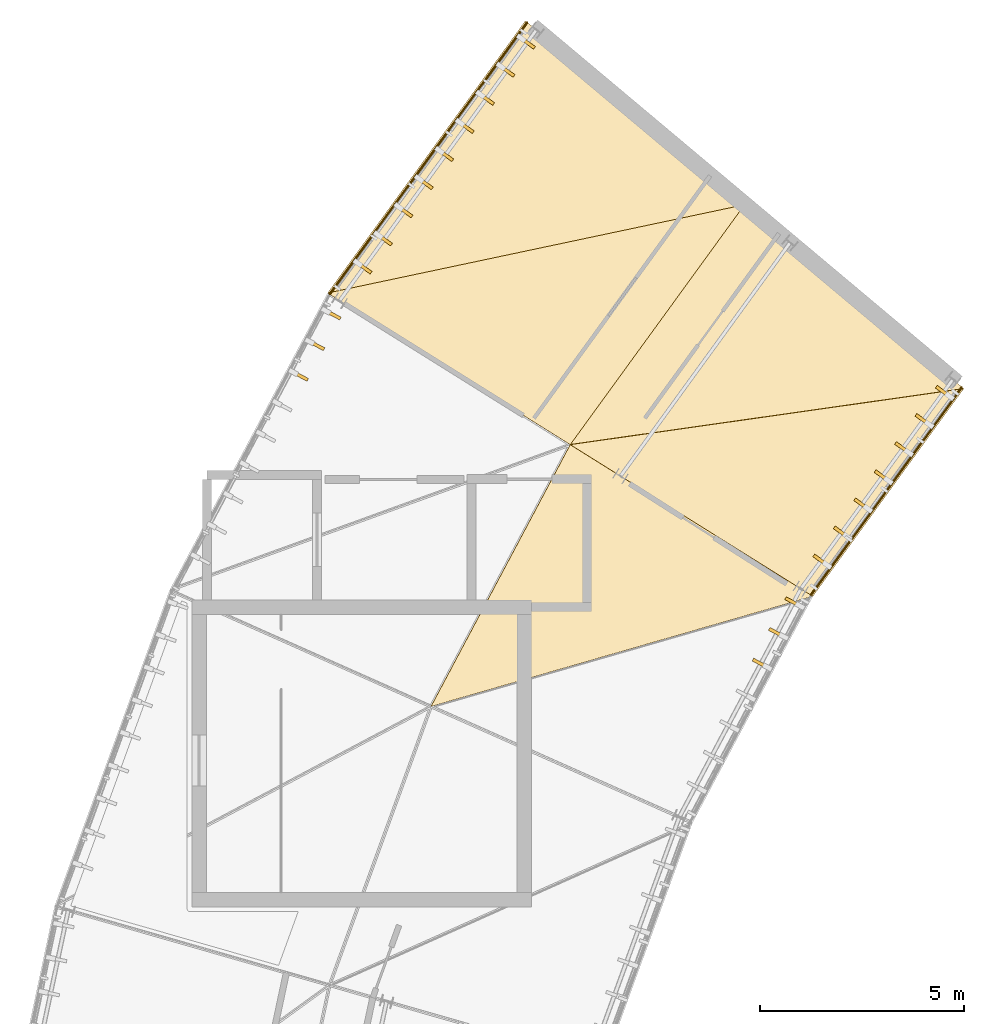
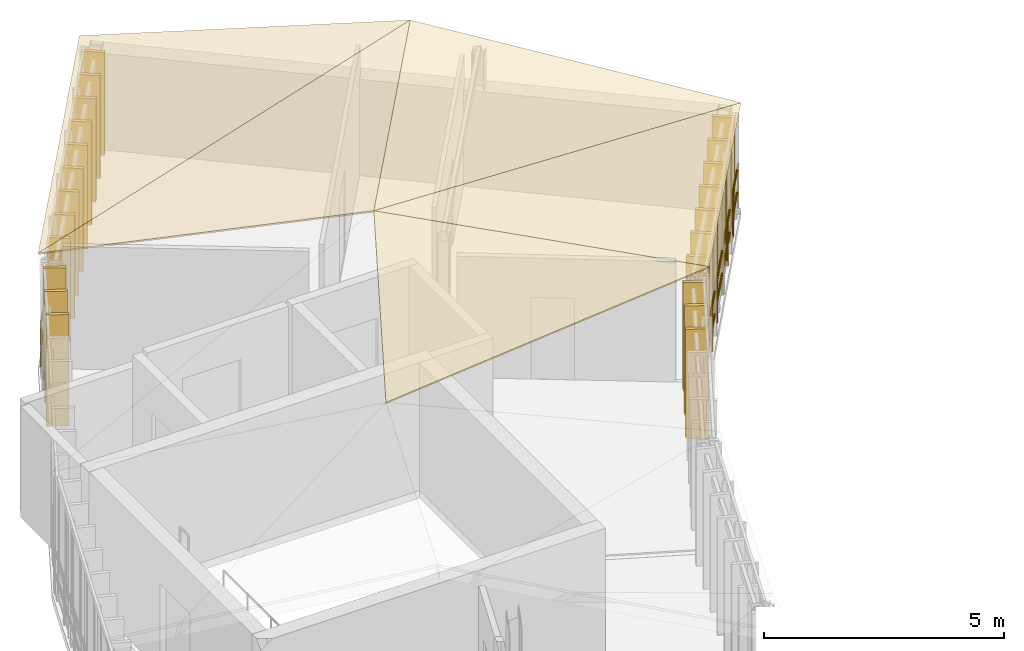
# One storey, part 18 of 18: 27 coverings, 2 railings.
"""IFC4 building model written with IfcOpenShell, lengths in metres."""

from ifc_helpers import new_model, si_unit, direction, frame, origin, origin_2d, place, context, subcontext, project, spatial, polyline, rectangle, circle, outline, extrude, material, layer, layer_set, type_object, element, save


model = new_model("IFC4")

# Units and contexts
model_context = context("Model", 3, precision=1e-05, world=origin(), true_north=direction((0.0, 1.0)))
body_context = subcontext(model_context, "Body", "Model", "MODEL_VIEW")
ifc_project = project(units=[si_unit("LENGTHUNIT", "METRE"), si_unit("AREAUNIT", "SQUARE_METRE"), si_unit("VOLUMEUNIT", "CUBIC_METRE"), si_unit("PLANEANGLEUNIT", "RADIAN"), si_unit("MASSUNIT", "GRAM", prefix="KILO"), si_unit("THERMODYNAMICTEMPERATUREUNIT", "KELVIN"), si_unit("POWERUNIT", "WATT")], contexts=[model_context])

# Site, building, storey
site_placement = place(None, origin())
site = spatial("IfcSite", under=ifc_project, at=site_placement, CompositionType="ELEMENT")
building_placement = place(site_placement, origin())
building = spatial("IfcBuilding", under=site, at=building_placement, Name="Solvatero Civic Police Headquarters", CompositionType="ELEMENT")
storey_placement = place(building_placement, frame((0.0, 0.0, 29.39990234375)))
storey = spatial("IfcBuildingStorey", under=building, at=storey_placement, Name="L07", CompositionType="ELEMENT", Elevation=29.39990234375)

# Coverings
ifc_material_1 = material(Name="Anodized Bronze Aluminium", Category="aluminium")
ifc_layer_1 = layer(ifc_material_1, 0.080078125)
ifc_layer_set_1 = layer_set([ifc_layer_1], Name="Anodized Bronze Aluminium")
covering_type_1 = type_object("IfcCoveringType", Name="COV-FIN-480", PredefinedType="CLADDING", material=ifc_layer_set_1)
for number, where, z_axis, x_axis, name in (
    (1, (48.83251953125, 63.403564453125, -0.02001953125), (0.0, 0.0, 1.0), (-0.587785252292, -0.809016994375, 0.0), "Vertical Brise-Soleil Fin 1374"),
    (2, (48.332763671875, 62.7158203125, -0.02001953125), (0.0, 0.0, 1.0), (-0.587785252292, -0.809016994375, 0.0), "Vertical Brise-Soleil Fin 1375"),
    (3, (47.833251953125, 62.028076171875, -0.02001953125), (0.0, 0.0, 1.0), (-0.587785252292, -0.809016994375, 0.0), "Vertical Brise-Soleil Fin 1376"),
    (4, (47.33349609375, 61.340576171875, -0.02001953125), (0.0, 0.0, 1.0), (-0.587785252292, -0.809016994375, 0.0), "Vertical Brise-Soleil Fin 1377"),
    (5, (46.833984375, 60.65283203125, -0.02001953125), (0.0, 0.0, 1.0), (-0.587785252292, -0.809016994375, 0.0), "Vertical Brise-Soleil Fin 1378"),
    (6, (46.334228515625, 59.965087890625, -0.02001953125), (0.0, 0.0, 1.0), (-0.587785252292, -0.809016994375, 0.0), "Vertical Brise-Soleil Fin 1379"),
    (7, (45.834716796875, 59.277587890625, -0.02001953125), (0.0, 0.0, 1.0), (-0.587785252292, -0.809016994375, 0.0), "Vertical Brise-Soleil Fin 1380"),
    (8, (45.335205078125, 58.58984375, -0.02001953125), (0.0, 0.0, 1.0), (-0.587785252292, -0.809016994375, 0.0), "Vertical Brise-Soleil Fin 1381"),
    (9, (44.83544921875, 57.902099609375, -0.02001953125), (0.0, 0.0, 1.0), (-0.587785252292, -0.809016994375, 0.0), "Vertical Brise-Soleil Fin 1382"),
):
    element("IfcCovering", number, at=place(storey_placement, frame(where, z_axis=z_axis, x_axis=x_axis)), inside=storey, type_object=covering_type_1, Name=name, PredefinedType="CLADDING", context=body_context, shape_type="SweptSolid", body=[
        extrude(rectangle(XDim=0.080078125, YDim=0.47998046875, at=origin_2d()), origin(), (0.0, 0.0, 1.0), 2.63330078125),
    ])
for number, where, z_axis, x_axis, name in (
    (10, (59.05224609375, 54.83154296875, -0.02001953125), (0.0, 0.0, 1.0), (-0.587785252292, -0.809016994375, 0.0), "Vertical Brise-Soleil Fin 1383"),
    (11, (58.552490234375, 54.143798828125, -0.02001953125), (0.0, 0.0, 1.0), (-0.587785252292, -0.809016994375, 0.0), "Vertical Brise-Soleil Fin 1384"),
    (12, (58.052978515625, 53.456298828125, -0.02001953125), (0.0, 0.0, 1.0), (-0.587785252292, -0.809016994375, 0.0), "Vertical Brise-Soleil Fin 1385"),
    (13, (57.553466796875, 52.7685546875, -0.02001953125), (0.0, 0.0, 1.0), (-0.587785252292, -0.809016994375, 0.0), "Vertical Brise-Soleil Fin 1386"),
    (14, (57.0537109375, 52.080810546875, -0.02001953125), (0.0, 0.0, 1.0), (-0.587785252292, -0.809016994375, 0.0), "Vertical Brise-Soleil Fin 1387"),
    (15, (56.55419921875, 51.393310546875, -0.02001953125), (0.0, 0.0, 1.0), (-0.587785252292, -0.809016994375, 0.0), "Vertical Brise-Soleil Fin 1388"),
    (16, (56.054443359375, 50.70556640625, -0.02001953125), (0.0, 0.0, 1.0), (-0.587785252292, -0.809016994375, 0.0), "Vertical Brise-Soleil Fin 1389"),
):
    element("IfcCovering", number, at=place(storey_placement, frame(where, z_axis=z_axis, x_axis=x_axis)), inside=storey, type_object=covering_type_1, Name=name, PredefinedType="CLADDING", context=body_context, shape_type="SweptSolid", body=[
        extrude(rectangle(XDim=0.080078125, YDim=0.47998046875, at=origin_2d()), origin(), (0.0, 0.0, 1.0), 2.591796875),
    ])
for number, where, z_axis, x_axis, name in (
    (17, (44.06640625, 56.75341796875, -0.02001953125), (0.0, 0.0, 1.0), (-0.469471562786, -0.882947592859, 0.0), "Vertical Brise-Soleil Fin 1390"),
    (18, (43.66748046875, 56.0029296875, -0.02001953125), (0.0, 0.0, 1.0), (-0.469471562786, -0.882947592859, 0.0), "Vertical Brise-Soleil Fin 1391"),
    (19, (43.268310546875, 55.25244140625, -0.02001953125), (0.0, 0.0, 1.0), (-0.469471562786, -0.882947592859, 0.0), "Vertical Brise-Soleil Fin 1392"),
):
    element("IfcCovering", number, at=place(storey_placement, frame(where, z_axis=z_axis, x_axis=x_axis)), inside=storey, type_object=covering_type_1, Name=name, PredefinedType="CLADDING", context=body_context, shape_type="SweptSolid", body=[
        extrude(rectangle(XDim=0.080078125, YDim=0.47998046875, at=origin_2d()), origin(), (0.0, 0.0, 1.0), 2.833251953125),
    ])
for number, where, z_axis, x_axis, name in (
    (20, (55.3798828125, 49.68701171875, -0.02001953125), (0.0, 0.0, 1.0), (-0.469486973057, -0.8829393989, 0.0), "Vertical Brise-Soleil Fin 1399"),
    (21, (54.980712890625, 48.9365234375, -0.02001953125), (0.0, 0.0, 1.0), (-0.469486973057, -0.8829393989, 0.0), "Vertical Brise-Soleil Fin 1400"),
    (22, (54.581787109375, 48.18603515625, -0.02001953125), (0.0, 0.0, 1.0), (-0.469486973057, -0.8829393989, 0.0), "Vertical Brise-Soleil Fin 1401"),
):
    element("IfcCovering", number, at=place(storey_placement, frame(where, z_axis=z_axis, x_axis=x_axis)), inside=storey, type_object=covering_type_1, Name=name, PredefinedType="CLADDING", context=body_context, shape_type="SweptSolid", body=[
        extrude(rectangle(XDim=0.080078125, YDim=0.47998046875, at=origin_2d()), origin(), (0.0, 0.0, 1.0), 2.791748046875),
    ])
ifc_layer_2 = layer(ifc_material_1, 0.0400390625)
ifc_layer_set_2 = layer_set([ifc_layer_2], Name="Anodized Bronze Aluminium")
covering_type_2 = type_object("IfcCoveringType", Name="COV-RF-ZINC", PredefinedType="ROOFING", material=ifc_layer_set_2)
covering_1_placement = place(storey_placement, frame((59.528076171875, 54.92529296875, 2.690185546875), z_axis=(0.159921458359, -0.082677603662, 0.983661293845), x_axis=(-0.754098605025, 0.632798733801, 0.175786963109)))
element("IfcCovering", 23, at=covering_1_placement, inside=storey, type_object=covering_type_2, Name="Operations Arc Standing-Seam Roof Covering B8 IN1", PredefinedType="ROOFING", context=body_context, shape_type="SweptSolid", body=[
    extrude(outline(polyline([(0.0, 0.0), (7.110879998675559, -3.95516952522712e-16), (6.647641277378156, 7.2426006290834755), (0.0, 0.0)])), origin(), (0.0, 0.0, -1.0), 0.0400390625),
])
covering_2_placement = place(storey_placement, frame((59.528076171875, 54.92529296875, 2.690185546875), z_axis=(0.159189939837, -0.076914744407, 0.984247268296), x_axis=(-0.979205833057, -0.13929407856, 0.147489308712)))
element("IfcCovering", 24, at=covering_2_placement, inside=storey, type_object=covering_type_2, Name="Operations Arc Standing-Seam Roof Covering B8 IN2", PredefinedType="ROOFING", context=body_context, shape_type="SweptSolid", body=[
    extrude(outline(polyline([(0.0, 0.0), (9.830890011850515, -8.326672684688674e-17), (4.350396637397747, 4.5305950658332375), (0.0, 0.0)])), origin(), (0.0, 0.0, -1.0), 0.0400390625),
])
covering_3_placement = place(storey_placement, frame((54.165771484375, 59.425048828125, 3.940185546875), z_axis=(-0.12714777063, 0.121934439364, 0.984360420233), x_axis=(-0.754114988756, 0.632778148005, -0.1757907823)))
element("IfcCovering", 25, at=covering_3_placement, inside=storey, type_object=covering_type_2, Name="Operations Arc Standing-Seam Roof Covering B8 OUT1", PredefinedType="ROOFING", context=body_context, shape_type="SweptSolid", body=[
    extrude(outline(polyline([(0.0, 0.0), (7.110725509310077, -7.147060721024445e-16), (6.510332114129802, 8.21202437923817), (0.0, 0.0)])), origin(), (0.0, 0.0, -1.0), 0.0400390625),
])
covering_4_placement = place(storey_placement, frame((54.165771484375, 59.425048828125, 3.940185546875), z_axis=(-0.128052340145, 0.126546604086, 0.983660792742), x_axis=(-0.973385920168, -0.206106582637, -0.100199436184)))
element("IfcCovering", 26, at=covering_4_placement, inside=storey, type_object=covering_type_2, Name="Operations Arc Standing-Seam Roof Covering B8 OUT2", PredefinedType="ROOFING", context=body_context, shape_type="SweptSolid", body=[
    extrude(outline(polyline([(0.0, 0.0), (10.479588190452516, -1.942890293094024e-16), (5.340306979984289, 4.9143641852065345), (0.0, 0.0)])), origin(), (0.0, 0.0, -1.0), 0.0400390625),
])
covering_5_placement = place(storey_placement, frame((55.837890625, 49.846435546875, 2.89013671875), z_axis=(0.169872920993, -0.059621105632, 0.983660772053), x_axis=(-0.834837170418, 0.521674520557, 0.175791335083)))
element("IfcCovering", 27, at=covering_5_placement, inside=storey, type_object=covering_type_2, Name="Operations Arc Standing-Seam Roof Covering B9 IN1", PredefinedType="ROOFING", context=body_context, shape_type="SweptSolid", body=[
    extrude(outline(polyline([(0.0, 0.0), (7.110703149335738, -9.020562075079397e-16), (6.647717815374152, 7.24273128104556), (0.0, 0.0)])), origin(), (0.0, 0.0, -1.0), 0.0400390625),
])

# Railings
ifc_material_2 = material(Name="Anodized Bronze and Laminated Glass", Category="glass")
railing_type = type_object("IfcRailingType", Name="RL-BAL-115", PredefinedType="BALUSTRADE", material=ifc_material_2)
railing_1_placement = place(storey_placement, frame((59.48193359375, 54.964111328125, 0.0)))
element("IfcRailing", 28, at=railing_1_placement, inside=storey, type_object=railing_type, Name="Glazed Facade Sill Balustrade RL-L07-ARCIN-B08", PredefinedType="BALUSTRADE", context=body_context, shape_type="SweptSolid", body=[
    extrude(circle(Radius=0.02392578125, at=origin_2d()), frame((0.0, 0.0, 1.1259765625), z_axis=(-0.587751344524, -0.809041628725, 0.0), x_axis=(0.809041628725, -0.587751344524, 0.0)), (0.0, 0.0, 1.0), 6.286376953125),
    extrude(circle(Radius=0.02392578125, at=origin_2d()), frame((0.0, 0.0, 0.55078125), z_axis=(-0.587751344524, -0.809041628725, 0.0), x_axis=(0.809041628725, -0.587751344524, 0.0)), (0.0, 0.0, 1.0), 6.286376953125),
    extrude(circle(Radius=0.02099609375, at=origin_2d()), origin(), (0.0, 0.0, 1.0), 1.101806640625),
    extrude(circle(Radius=0.02099609375, at=origin_2d()), frame((-0.61572265625, -0.84765625, 0.0)), (0.0, 0.0, 1.0), 1.101806640625),
    extrude(circle(Radius=0.02099609375, at=origin_2d()), frame((-1.231689453125, -1.6953125, 0.0)), (0.0, 0.0, 1.0), 1.101806640625),
    extrude(circle(Radius=0.02099609375, at=origin_2d()), frame((-1.847412109375, -2.54296875, 0.0)), (0.0, 0.0, 1.0), 1.101806640625),
    extrude(circle(Radius=0.02099609375, at=origin_2d()), frame((-2.463134765625, -3.390625, 0.0)), (0.0, 0.0, 1.0), 1.101806640625),
    extrude(circle(Radius=0.02099609375, at=origin_2d()), frame((-3.0791015625, -4.23828125, 0.0)), (0.0, 0.0, 1.0), 1.101806640625),
    extrude(circle(Radius=0.02099609375, at=origin_2d()), frame((-3.69482421875, -5.0859375, 0.0)), (0.0, 0.0, 1.0), 1.101806640625),
])
railing_2_placement = place(storey_placement, frame((48.849365234375, 63.885986328125, 0.0)))
element("IfcRailing", 29, at=railing_2_placement, inside=storey, type_object=railing_type, Name="Glazed Facade Sill Balustrade RL-L07-ARCOUT-B08", PredefinedType="BALUSTRADE", context=body_context, shape_type="SweptSolid", body=[
    extrude(circle(Radius=0.02392578125, at=origin_2d()), frame((0.0, 0.0, 1.1259765625), z_axis=(-0.587774421673, -0.80902486317, 0.0), x_axis=(0.80902486317, -0.587774421673, 0.0)), (0.0, 0.0, 1.0), 8.222900390625),
    extrude(circle(Radius=0.02392578125, at=origin_2d()), frame((0.0, 0.0, 0.55078125), z_axis=(-0.587774421673, -0.80902486317, 0.0), x_axis=(0.80902486317, -0.587774421673, 0.0)), (0.0, 0.0, 1.0), 8.222900390625),
    extrude(circle(Radius=0.02099609375, at=origin_2d()), origin(), (0.0, 0.0, 1.0), 1.101806640625),
    extrude(circle(Radius=0.02099609375, at=origin_2d()), frame((-0.6904296875, -0.950439453125, 0.0)), (0.0, 0.0, 1.0), 1.101806640625),
    extrude(circle(Radius=0.02099609375, at=origin_2d()), frame((-1.380859375, -1.900634765625, 0.0)), (0.0, 0.0, 1.0), 1.101806640625),
    extrude(circle(Radius=0.02099609375, at=origin_2d()), frame((-2.0712890625, -2.85107421875, 0.0)), (0.0, 0.0, 1.0), 1.101806640625),
    extrude(circle(Radius=0.02099609375, at=origin_2d()), frame((-2.761962890625, -3.801513671875, 0.0)), (0.0, 0.0, 1.0), 1.101806640625),
    extrude(circle(Radius=0.02099609375, at=origin_2d()), frame((-3.452392578125, -4.751953125, 0.0)), (0.0, 0.0, 1.0), 1.101806640625),
    extrude(circle(Radius=0.02099609375, at=origin_2d()), frame((-4.142822265625, -5.7021484375, 0.0)), (0.0, 0.0, 1.0), 1.101806640625),
    extrude(circle(Radius=0.02099609375, at=origin_2d()), frame((-4.833251953125, -6.652587890625, 0.0)), (0.0, 0.0, 1.0), 1.101806640625),
])

save(model, "model.ifc")
